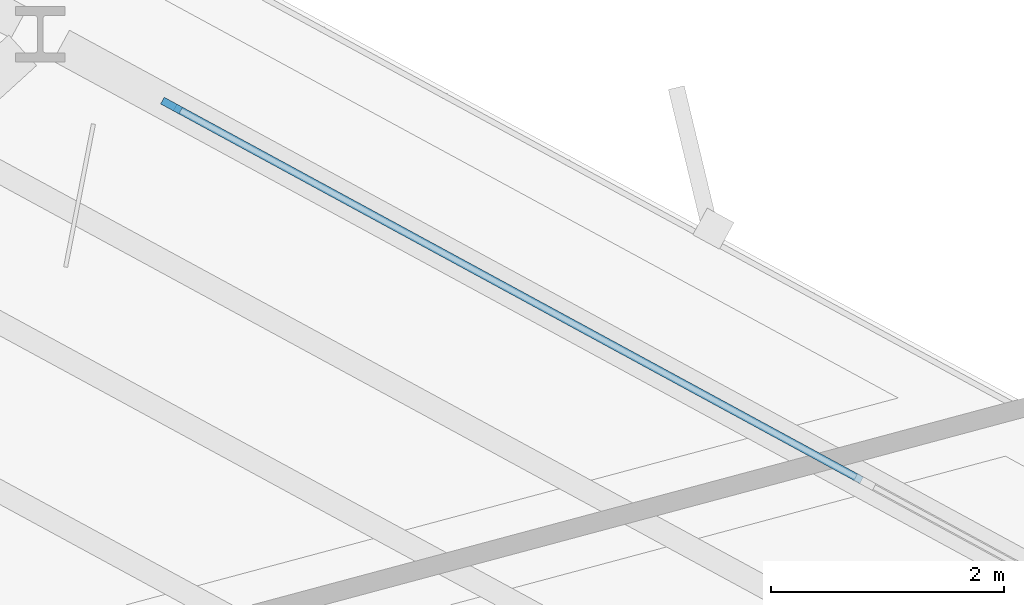
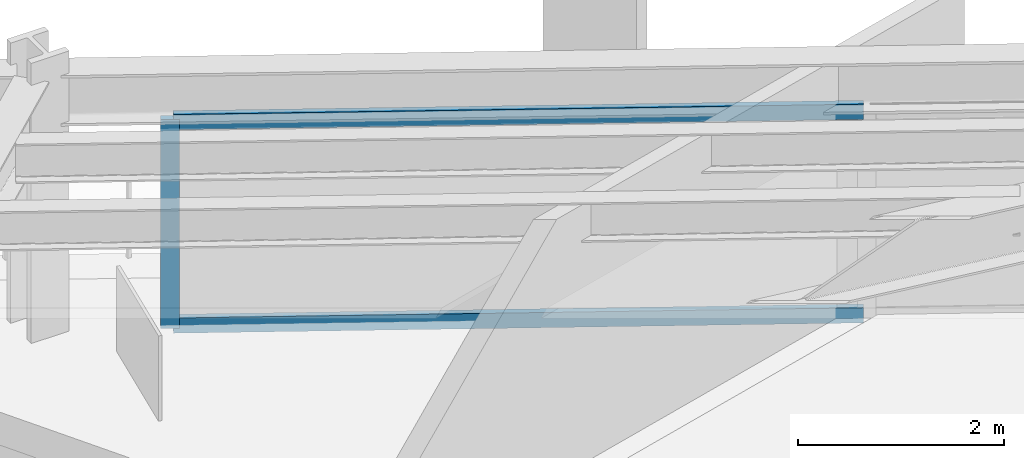
# One storey, part 6 of 14: 3 members, 1 element without a shape of its own.
"""IFC4 building model written with IfcOpenShell, lengths in metres."""

from ifc_helpers import new_model, si_unit, direction, frame, origin, origin_2d, place, context, subcontext, project, spatial, rectangle, extrude, material, layer, layer_set, material_profile, profile_set, type_object, element, aggregate, save


model = new_model("IFC4")

# Units and contexts
model_context = context("Model", 3, precision=1e-05, world=origin(), true_north=direction((0.0, 1.0)))
body_context = subcontext(model_context, "Body", "Model", "MODEL_VIEW")
ifc_project = project(units=[si_unit("LENGTHUNIT", "METRE"), si_unit("AREAUNIT", "SQUARE_METRE"), si_unit("VOLUMEUNIT", "CUBIC_METRE"), si_unit("PLANEANGLEUNIT", "RADIAN"), si_unit("MASSUNIT", "GRAM", prefix="KILO")], contexts=[model_context])

# Site, building, storey
site_placement = place(None, origin())
site = spatial("IfcSite", under=ifc_project, at=site_placement, CompositionType="ELEMENT")
building_placement = place(site_placement, origin())
building = spatial("IfcBuilding", under=site, at=building_placement, Name="Rocaltana Carrier Exchange", CompositionType="ELEMENT")
storey_placement = place(building_placement, frame((0.0, 0.0, 32.320068359375)))
storey = spatial("IfcBuildingStorey", under=building, at=storey_placement, Name="L10", CompositionType="ELEMENT", Elevation=32.320068359375)

# Curtain wall, members
ifc_material_1 = material(Name="Aluminium 6063-T6", Category="aluminium")
ifc_layer = layer(ifc_material_1, 0.179931640625)
ifc_layer_set = layer_set([ifc_layer], Name="Aluminium 6063-T6")
curtain_wall_type = type_object("IfcCurtainWallType", Name="Sandstone Spandrel Unitised Curtain Wall CW-01", PredefinedType="NOTDEFINED", material=ifc_layer_set)
curtain_wall_placement = place(storey_placement, origin())
curtain_wall = element("IfcCurtainWall", 1, at=curtain_wall_placement, inside=storey, type_object=curtain_wall_type, Name="L10 CW-01 Run CW-L10-F1S1", PredefinedType="NOTDEFINED")
ifc_material_2 = material(Name="Aluminium 6063-T6", Category="aluminium")
ifc_material_profile_1 = material_profile(ifc_material_2, rectangle(XDim=0.06494140625, YDim=0.179931640625, at=origin_2d()), Name="AL-65X180")
ifc_profile_set_1 = profile_set([ifc_material_profile_1], Name="Aluminium 6063-T6")
member_type_1 = type_object("IfcMemberType", Name="CW-01 Mullion AL-65X180", PredefinedType="MULLION", material=ifc_profile_set_1)
member_1_placement = place(storey_placement, frame((15.31884765625, 8.6552734375, 0.0), z_axis=(0.0, 0.0, 1.0), x_axis=(-0.477161473226, -0.878815639636, 0.0)))
member_1 = element("IfcMember", 2, at=member_1_placement, type_object=member_type_1, Name="CW-01 mullion 3", PredefinedType="MULLION", context=body_context, shape_type="SweptSolid", body=[
    extrude(rectangle(XDim=0.06494140625, YDim=0.179931640625, at=origin_2d()), origin(), (0.0, 0.0, 1.0), 2.47802734375),
])
ifc_material_3 = material(Name="Aluminium 6063-T6", Category="aluminium")
ifc_material_profile_2 = material_profile(ifc_material_3, rectangle(XDim=0.06494140625, YDim=0.179931640625, at=origin_2d()), Name="AL-65X180")
ifc_profile_set_2 = profile_set([ifc_material_profile_2], Name="Aluminium 6063-T6")
member_type_2 = type_object("IfcMemberType", Name="CW-01 Transom AL-65X180", PredefinedType="USERDEFINED", material=ifc_profile_set_2)
member_2_placement = place(storey_placement, frame((21.237548828125, 5.44140625, 0.032470703125), z_axis=(-0.87880717191, 0.477177068392, 0.0), x_axis=(-0.477177068392, -0.87880717191, 0.0)))
member_2 = element("IfcMember", 3, at=member_2_placement, type_object=member_type_2, Name="CW-01 transom 2.1", ObjectType="TRANSOM", PredefinedType="USERDEFINED", context=body_context, shape_type="SweptSolid", body=[
    extrude(rectangle(XDim=0.06494140625, YDim=0.179931640625, at=origin_2d()), origin(), (0.0, 0.0, 1.0), 6.702392578125),
])
member_3_placement = place(storey_placement, frame((21.237548828125, 5.44140625, 2.4453125), z_axis=(-0.87880717191, 0.477177068392, 0.0), x_axis=(-0.477177068392, -0.87880717191, 0.0)))
member_3 = element("IfcMember", 4, at=member_3_placement, type_object=member_type_2, Name="CW-01 transom 2.2", ObjectType="TRANSOM", PredefinedType="USERDEFINED", context=body_context, shape_type="SweptSolid", body=[
    extrude(rectangle(XDim=0.06494140625, YDim=0.179931640625, at=origin_2d()), origin(), (0.0, 0.0, 1.0), 6.702392578125),
])
aggregate(curtain_wall, [member_1, member_2, member_3])

save(model, "model.ifc")
